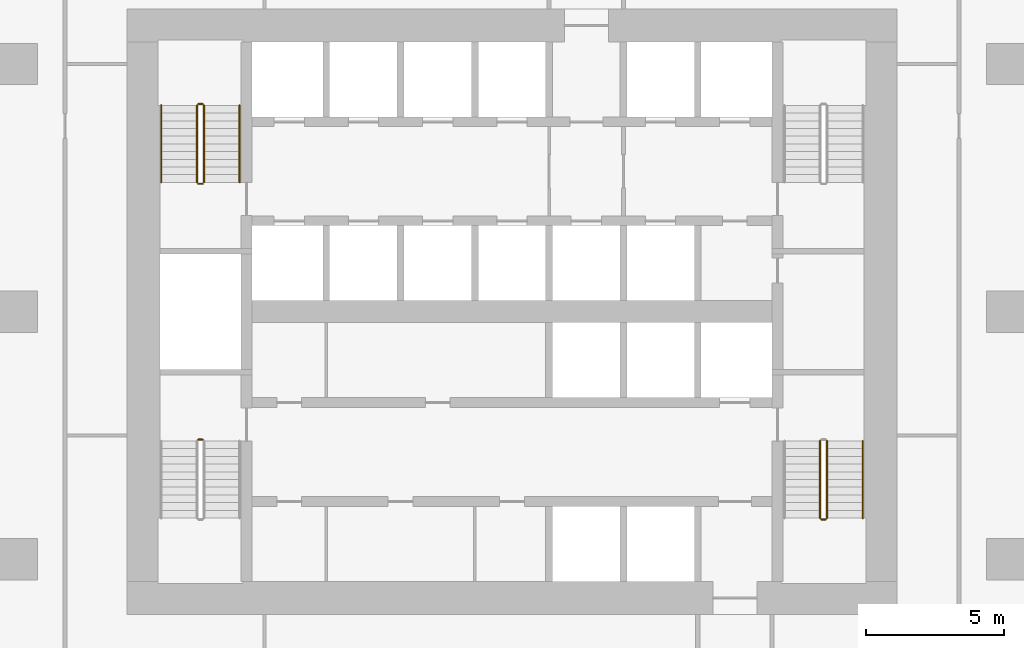
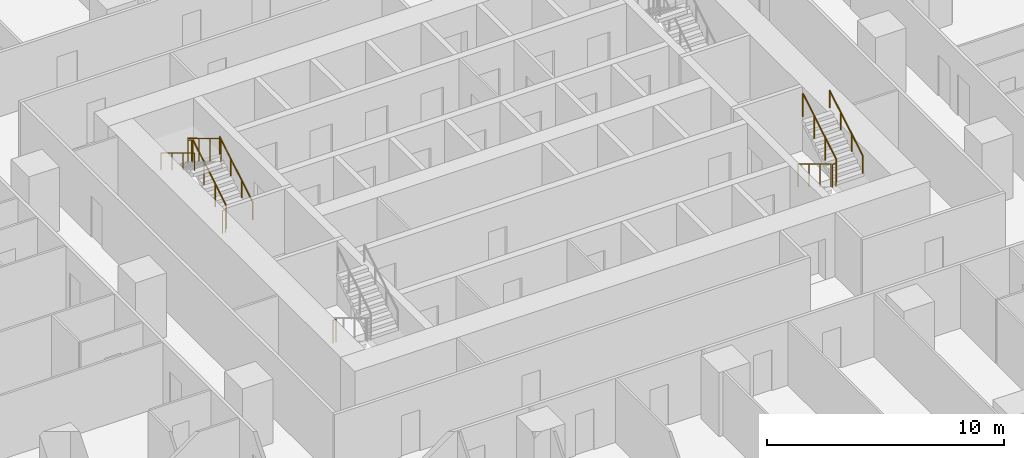
# One storey, part 24 of 27: 11 railings.
"""IFC4 building model written with IfcOpenShell, lengths in metres."""

from ifc_helpers import new_model, si_unit, direction, frame, origin, origin_2d, place, context, subcontext, project, spatial, circle, extrude, material, type_object, element, save


model = new_model("IFC4")

# Units and contexts
model_context = context("Model", 3, precision=1e-05, world=origin(), true_north=direction((0.0, 1.0)))
body_context = subcontext(model_context, "Body", "Model", "MODEL_VIEW")
ifc_project = project(units=[si_unit("LENGTHUNIT", "METRE"), si_unit("AREAUNIT", "SQUARE_METRE"), si_unit("VOLUMEUNIT", "CUBIC_METRE"), si_unit("PLANEANGLEUNIT", "RADIAN"), si_unit("MASSUNIT", "GRAM", prefix="KILO")], contexts=[model_context])

# Site, building, storey
site_placement = place(None, origin())
site = spatial("IfcSite", under=ifc_project, at=site_placement, CompositionType="ELEMENT")
building_placement = place(site_placement, origin())
building = spatial("IfcBuilding", under=site, at=building_placement, Name="Dongbaek Canopy Tower", CompositionType="ELEMENT")
storey_placement = place(building_placement, frame((0.0, 0.0, 55.10009765625)))
storey = spatial("IfcBuildingStorey", under=building, at=storey_placement, Name="L09", CompositionType="ELEMENT", Elevation=55.10009765625)

# Railings
ifc_material_1 = material(Name="Stainless steel tube and balusters", Category="steel")
railing_type_1 = type_object("IfcRailingType", Name="Stair guard 1200", PredefinedType="GUARDRAIL", material=ifc_material_1)
railing_1_placement = place(storey_placement, frame((-11.199951171875, 4.699951171875, 0.16796875)))
element("IfcRailing", 1, at=railing_1_placement, inside=storey, type_object=railing_type_1, Name="L09 ST-C stair guard 1", PredefinedType="GUARDRAIL", context=body_context, shape_type="SweptSolid", body=[
    extrude(circle(Radius=0.02392578125, at=origin_2d()), frame((0.0, 0.0, 1.17578125), z_axis=(0.0, 0.857242210791, 0.514913383045), x_axis=(-1.0, 0.0, 0.0)), (0.0, 0.0, 1.0), 3.266357421875),
    extrude(circle(Radius=0.02099609375, at=origin_2d()), origin(), (0.0, 0.0, 1.0), 1.15185546875),
    extrude(circle(Radius=0.02099609375, at=origin_2d()), frame((0.0, 0.933349609375, 0.560546875)), (0.0, 0.0, 1.0), 1.15185546875),
    extrude(circle(Radius=0.02099609375, at=origin_2d()), frame((0.0, 1.86669921875, 1.121337890625)), (0.0, 0.0, 1.0), 1.15185546875),
    extrude(circle(Radius=0.02099609375, at=origin_2d()), frame((0.0, 2.800048828125, 1.681884765625)), (0.0, 0.0, 1.0), 1.15185546875),
])
railing_2_placement = place(storey_placement, frame((-11.25, 7.550048828125, 1.849853515625)))
element("IfcRailing", 2, at=railing_2_placement, inside=storey, type_object=railing_type_1, Name="L09 ST-C stair guard 2", PredefinedType="GUARDRAIL", context=body_context, shape_type="SweptSolid", body=[
    extrude(circle(Radius=0.02392578125, at=origin_2d()), frame((0.0, 0.0, 1.17578125), z_axis=(-1.0, 0.0, 0.0), x_axis=(0.0, -1.0, 0.0)), (0.0, 0.0, 1.0), 0.14990234375),
    extrude(circle(Radius=0.02099609375, at=origin_2d()), origin(), (0.0, 0.0, 1.0), 1.15185546875),
    extrude(circle(Radius=0.02099609375, at=origin_2d()), frame((-0.14990234375, 0.0, 0.0)), (0.0, 0.0, 1.0), 1.15185546875),
])
railing_3_placement = place(storey_placement, frame((-11.449951171875, 7.5, 2.01806640625)))
element("IfcRailing", 3, at=railing_3_placement, inside=storey, type_object=railing_type_1, Name="L09 ST-C stair guard 3", PredefinedType="GUARDRAIL", context=body_context, shape_type="SweptSolid", body=[
    extrude(circle(Radius=0.02392578125, at=origin_2d()), frame((0.0, 0.0, 1.17578125), z_axis=(0.0, -0.857242210791, 0.514913383045), x_axis=(1.0, 0.0, 0.0)), (0.0, 0.0, 1.0), 3.266357421875),
    extrude(circle(Radius=0.02099609375, at=origin_2d()), origin(), (0.0, 0.0, 1.0), 1.15185546875),
    extrude(circle(Radius=0.02099609375, at=origin_2d()), frame((0.0, -0.933349609375, 0.560546875)), (0.0, 0.0, 1.0), 1.15185546875),
    extrude(circle(Radius=0.02099609375, at=origin_2d()), frame((0.0, -1.86669921875, 1.121337890625)), (0.0, 0.0, 1.0), 1.15185546875),
    extrude(circle(Radius=0.02099609375, at=origin_2d()), frame((0.0, -2.800048828125, 1.681884765625)), (0.0, 0.0, 1.0), 1.15185546875),
])
railing_4_placement = place(storey_placement, frame((-11.25, 4.64990234375, 0.0)))
element("IfcRailing", 4, at=railing_4_placement, inside=storey, type_object=railing_type_1, Name="L09 ST-C stair guard 4", PredefinedType="GUARDRAIL", context=body_context, shape_type="SweptSolid", body=[
    extrude(circle(Radius=0.02392578125, at=origin_2d()), frame((0.0, 0.0, 1.17578125), z_axis=(-1.0, 0.0, 0.0), x_axis=(0.0, -1.0, 0.0)), (0.0, 0.0, 1.0), 0.14990234375),
    extrude(circle(Radius=0.02099609375, at=origin_2d()), origin(), (0.0, 0.0, 1.0), 1.15185546875),
    extrude(circle(Radius=0.02099609375, at=origin_2d()), frame((-0.14990234375, 0.0, 0.0)), (0.0, 0.0, 1.0), 1.15185546875),
])
railing_5_placement = place(storey_placement, frame((11.199951171875, -4.699951171875, 0.16796875)))
element("IfcRailing", 5, at=railing_5_placement, inside=storey, type_object=railing_type_1, Name="L09 ST-B stair guard 1", PredefinedType="GUARDRAIL", context=body_context, shape_type="SweptSolid", body=[
    extrude(circle(Radius=0.02392578125, at=origin_2d()), frame((0.0, 0.0, 1.17578125), z_axis=(0.0, -0.857242210791, 0.514913383045), x_axis=(1.0, 0.0, 0.0)), (0.0, 0.0, 1.0), 3.266357421875),
    extrude(circle(Radius=0.02099609375, at=origin_2d()), origin(), (0.0, 0.0, 1.0), 1.15185546875),
    extrude(circle(Radius=0.02099609375, at=origin_2d()), frame((0.0, -0.933349609375, 0.560546875)), (0.0, 0.0, 1.0), 1.15185546875),
    extrude(circle(Radius=0.02099609375, at=origin_2d()), frame((0.0, -1.86669921875, 1.121337890625)), (0.0, 0.0, 1.0), 1.15185546875),
    extrude(circle(Radius=0.02099609375, at=origin_2d()), frame((0.0, -2.800048828125, 1.681884765625)), (0.0, 0.0, 1.0), 1.15185546875),
])
railing_6_placement = place(storey_placement, frame((11.25, -7.550048828125, 1.849853515625)))
element("IfcRailing", 6, at=railing_6_placement, inside=storey, type_object=railing_type_1, Name="L09 ST-B stair guard 2", PredefinedType="GUARDRAIL", context=body_context, shape_type="SweptSolid", body=[
    extrude(circle(Radius=0.02392578125, at=origin_2d()), frame((0.0, 0.0, 1.17578125), z_axis=(1.0, 0.0, 0.0), x_axis=(0.0, 1.0, 0.0)), (0.0, 0.0, 1.0), 0.14990234375),
    extrude(circle(Radius=0.02099609375, at=origin_2d()), origin(), (0.0, 0.0, 1.0), 1.15185546875),
    extrude(circle(Radius=0.02099609375, at=origin_2d()), frame((0.14990234375, 0.0, 0.0)), (0.0, 0.0, 1.0), 1.15185546875),
])
railing_7_placement = place(storey_placement, frame((11.449951171875, -7.5, 2.01806640625)))
element("IfcRailing", 7, at=railing_7_placement, inside=storey, type_object=railing_type_1, Name="L09 ST-B stair guard 3", PredefinedType="GUARDRAIL", context=body_context, shape_type="SweptSolid", body=[
    extrude(circle(Radius=0.02392578125, at=origin_2d()), frame((0.0, 0.0, 1.17578125), z_axis=(0.0, 0.857242210791, 0.514913383045), x_axis=(-1.0, 0.0, 0.0)), (0.0, 0.0, 1.0), 3.266357421875),
    extrude(circle(Radius=0.02099609375, at=origin_2d()), origin(), (0.0, 0.0, 1.0), 1.15185546875),
    extrude(circle(Radius=0.02099609375, at=origin_2d()), frame((0.0, 0.933349609375, 0.560546875)), (0.0, 0.0, 1.0), 1.15185546875),
    extrude(circle(Radius=0.02099609375, at=origin_2d()), frame((0.0, 1.86669921875, 1.121337890625)), (0.0, 0.0, 1.0), 1.15185546875),
    extrude(circle(Radius=0.02099609375, at=origin_2d()), frame((0.0, 2.800048828125, 1.681884765625)), (0.0, 0.0, 1.0), 1.15185546875),
])
railing_8_placement = place(storey_placement, frame((-11.39990234375, -4.64990234375, 0.0)))
element("IfcRailing", 8, at=railing_8_placement, inside=storey, type_object=railing_type_1, Name="L09 ST-D stair guard 4", PredefinedType="GUARDRAIL", context=body_context, shape_type="SweptSolid", body=[
    extrude(circle(Radius=0.02392578125, at=origin_2d()), frame((0.0, 0.0, 1.17578125), z_axis=(1.0, 0.0, 0.0), x_axis=(0.0, 1.0, 0.0)), (0.0, 0.0, 1.0), 0.14990234375),
    extrude(circle(Radius=0.02099609375, at=origin_2d()), origin(), (0.0, 0.0, 1.0), 1.15185546875),
    extrude(circle(Radius=0.02099609375, at=origin_2d()), frame((0.14990234375, 0.0, 0.0)), (0.0, 0.0, 1.0), 1.15185546875),
])
ifc_material_2 = material(Name="Stainless steel tube", Category="steel")
railing_type_2 = type_object("IfcRailingType", Name="Stair handrail 900", PredefinedType="HANDRAIL", material=ifc_material_2)
railing_9_placement = place(storey_placement, frame((-9.89990234375, 4.699951171875, 0.16796875)))
element("IfcRailing", 9, at=railing_9_placement, inside=storey, type_object=railing_type_2, Name="L09 ST-C stair handrail 1", PredefinedType="HANDRAIL", context=body_context, shape_type="SweptSolid", body=[
    extrude(circle(Radius=0.02392578125, at=origin_2d()), frame((0.0, 0.0, 0.8759765625), z_axis=(0.0, 0.857242210791, 0.514913383045), x_axis=(-1.0, 0.0, 0.0)), (0.0, 0.0, 1.0), 3.266357421875),
    extrude(circle(Radius=0.02099609375, at=origin_2d()), origin(), (0.0, 0.0, 1.0), 0.851806640625),
    extrude(circle(Radius=0.02099609375, at=origin_2d()), frame((0.0, 0.933349609375, 0.560546875)), (0.0, 0.0, 1.0), 0.851806640625),
    extrude(circle(Radius=0.02099609375, at=origin_2d()), frame((0.0, 1.86669921875, 1.121337890625)), (0.0, 0.0, 1.0), 0.851806640625),
    extrude(circle(Radius=0.02099609375, at=origin_2d()), frame((0.0, 2.800048828125, 1.681884765625)), (0.0, 0.0, 1.0), 0.851806640625),
])
railing_10_placement = place(storey_placement, frame((-12.75, 7.5, 2.01806640625)))
element("IfcRailing", 10, at=railing_10_placement, inside=storey, type_object=railing_type_2, Name="L09 ST-C stair handrail 2", PredefinedType="HANDRAIL", context=body_context, shape_type="SweptSolid", body=[
    extrude(circle(Radius=0.02392578125, at=origin_2d()), frame((0.0, 0.0, 0.8759765625), z_axis=(0.0, -0.857242210791, 0.514913383045), x_axis=(1.0, 0.0, 0.0)), (0.0, 0.0, 1.0), 3.266357421875),
    extrude(circle(Radius=0.02099609375, at=origin_2d()), origin(), (0.0, 0.0, 1.0), 0.851806640625),
    extrude(circle(Radius=0.02099609375, at=origin_2d()), frame((0.0, -0.933349609375, 0.560546875)), (0.0, 0.0, 1.0), 0.851806640625),
    extrude(circle(Radius=0.02099609375, at=origin_2d()), frame((0.0, -1.86669921875, 1.121337890625)), (0.0, 0.0, 1.0), 0.851806640625),
    extrude(circle(Radius=0.02099609375, at=origin_2d()), frame((0.0, -2.800048828125, 1.681884765625)), (0.0, 0.0, 1.0), 0.851806640625),
])
railing_11_placement = place(storey_placement, frame((12.75, -7.5, 2.01806640625)))
element("IfcRailing", 11, at=railing_11_placement, inside=storey, type_object=railing_type_2, Name="L09 ST-B stair handrail 2", PredefinedType="HANDRAIL", context=body_context, shape_type="SweptSolid", body=[
    extrude(circle(Radius=0.02392578125, at=origin_2d()), frame((0.0, 0.0, 0.8759765625), z_axis=(0.0, 0.857242210791, 0.514913383045), x_axis=(-1.0, 0.0, 0.0)), (0.0, 0.0, 1.0), 3.266357421875),
    extrude(circle(Radius=0.02099609375, at=origin_2d()), origin(), (0.0, 0.0, 1.0), 0.851806640625),
    extrude(circle(Radius=0.02099609375, at=origin_2d()), frame((0.0, 0.933349609375, 0.560546875)), (0.0, 0.0, 1.0), 0.851806640625),
    extrude(circle(Radius=0.02099609375, at=origin_2d()), frame((0.0, 1.86669921875, 1.121337890625)), (0.0, 0.0, 1.0), 0.851806640625),
    extrude(circle(Radius=0.02099609375, at=origin_2d()), frame((0.0, 2.800048828125, 1.681884765625)), (0.0, 0.0, 1.0), 0.851806640625),
])

save(model, "model.ifc")
